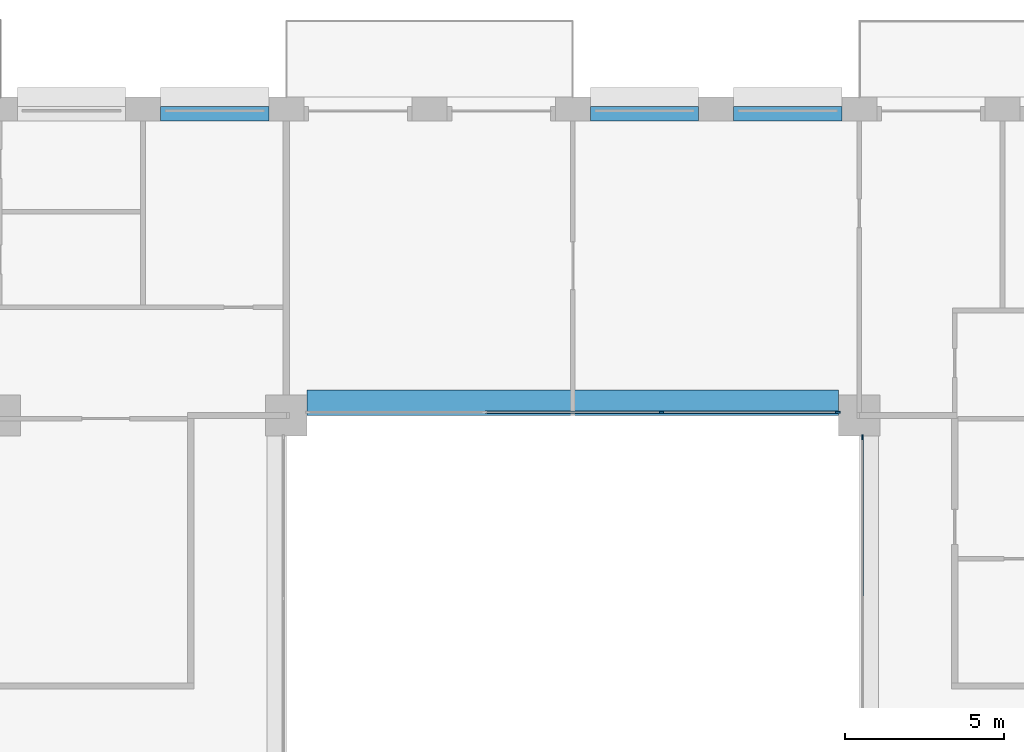
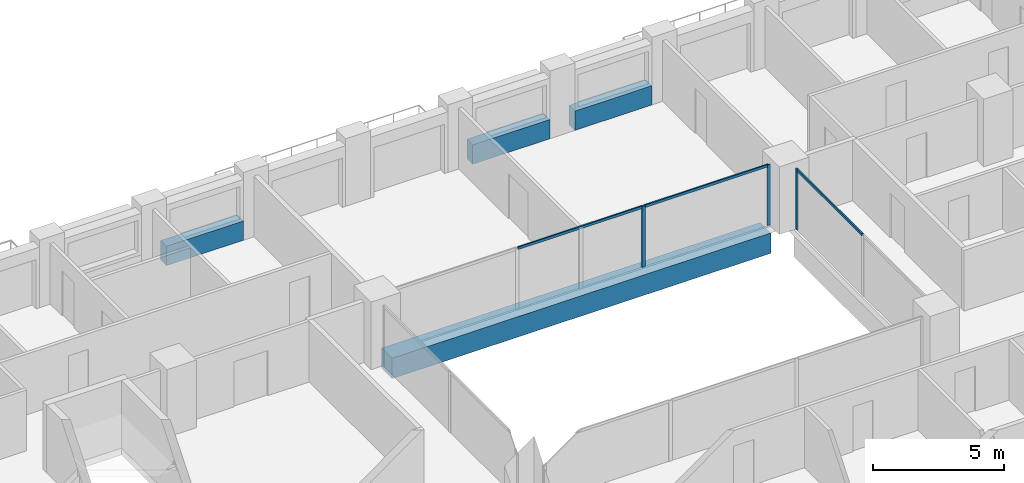
# One storey, part 6 of 16: 6 members, 4 beams, 2 elements without a shape of their own.
"""IFC4 building model written with IfcOpenShell, lengths in metres."""

from ifc_helpers import new_model, si_unit, direction, frame, origin, origin_2d, place, context, subcontext, project, spatial, rectangle, extrude, material, layer, layer_set, material_profile, profile_set, type_object, element, aggregate, save


model = new_model("IFC4")

# Units and contexts
model_context = context("Model", 3, precision=1e-05, world=origin(), true_north=direction((0.0, 1.0)))
body_context = subcontext(model_context, "Body", "Model", "MODEL_VIEW")
ifc_project = project(units=[si_unit("LENGTHUNIT", "METRE"), si_unit("AREAUNIT", "SQUARE_METRE"), si_unit("VOLUMEUNIT", "CUBIC_METRE"), si_unit("PLANEANGLEUNIT", "RADIAN"), si_unit("MASSUNIT", "GRAM", prefix="KILO")], contexts=[model_context])

# Site, building, storey
site_placement = place(None, origin())
site = spatial("IfcSite", under=ifc_project, at=site_placement, CompositionType="ELEMENT")
building_placement = place(site_placement, origin())
building = spatial("IfcBuilding", under=site, at=building_placement, Name="Brigalow Station Residences", CompositionType="ELEMENT")
storey_placement = place(building_placement, frame((0.0, 0.0, 89.85009765625)))
storey = spatial("IfcBuildingStorey", under=building, at=storey_placement, Name="L25", CompositionType="ELEMENT", Elevation=89.85009765625)

# Beam
ifc_material_1 = material(Name="Concrete C65", Category="concrete")
ifc_material_profile_1 = material_profile(ifc_material_1, rectangle(XDim=0.800048828125, YDim=0.949951171875, at=origin_2d()), Name="RC800x950")
ifc_profile_set_1 = profile_set([ifc_material_profile_1], Name="Concrete C65")
beam_type_1 = type_object("IfcBeamType", Name="ATRIUM EDGE GIRDER OVER 13.5 M SPAN 800x950 C65", PredefinedType="BEAM", material=ifc_profile_set_1)
beam_placement = place(storey_placement, frame((27.64990234375, 35.89990234375, -0.795166015625), z_axis=(1.0, 0.0, 0.0), x_axis=(0.0, 1.0, 0.0)))
element("IfcBeam", 1, at=beam_placement, inside=storey, type_object=beam_type_1, Name="ATRIUM EDGE GIRDER D L25", PredefinedType="BEAM", context=body_context, shape_type="SweptSolid", body=[
    extrude(rectangle(XDim=0.800048828125, YDim=0.949951171875, at=origin_2d()), origin(), (0.0, 0.0, 1.0), 16.7001953125),
])

# Curtain wall, member
ifc_material_2 = material(Name="Aluminium", Category="aluminium")
ifc_layer = layer(ifc_material_2, 0.14990234375)
ifc_layer_set = layer_set([ifc_layer], Name="ATRIUM FIRE-RATED GLAZING CURTAIN WALL")
curtain_wall_type = type_object("IfcCurtainWallType", Name="ATRIUM FIRE-RATED GLAZING CURTAIN WALL", PredefinedType="NOTDEFINED", material=ifc_layer_set)
curtain_wall_1_placement = place(storey_placement, origin())
curtain_wall_1 = element("IfcCurtainWall", 2, at=curtain_wall_1_placement, inside=storey, type_object=curtain_wall_type, Name="L25/cw/atrium-E", PredefinedType="NOTDEFINED")
ifc_material_3 = material(Name="Aluminium", Category="aluminium")
ifc_material_profile_2 = material_profile(ifc_material_3, rectangle(XDim=0.06005859375, YDim=0.14990234375, at=origin_2d()), Name="ATRIUM FIRE-RATED GLAZING MULLION 60x150")
ifc_profile_set_2 = profile_set([ifc_material_profile_2], Name="Aluminium")
member_type_1 = type_object("IfcMemberType", Name="ATRIUM FIRE-RATED GLAZING MULLION 60x150", PredefinedType="MULLION", material=ifc_profile_set_2)
member_1_placement = place(storey_placement, frame((45.10009765625, 34.820068359375, 0.0), z_axis=(0.0, 0.0, 1.0), x_axis=(-1.0, 0.0, 0.0)))
member_1 = element("IfcMember", 3, at=member_1_placement, type_object=member_type_1, Name="L25/cw/atrium-E/M02", PredefinedType="MULLION", context=body_context, shape_type="SweptSolid", body=[
    extrude(rectangle(XDim=0.06005859375, YDim=0.14990234375, at=origin_2d()), origin(), (0.0, 0.0, 1.0), 2.829833984375),
])

# Curtain wall, members
curtain_wall_2_placement = place(storey_placement, origin())
curtain_wall_2 = element("IfcCurtainWall", 4, at=curtain_wall_2_placement, inside=storey, type_object=curtain_wall_type, Name="L25/cw/atrium-N", PredefinedType="NOTDEFINED")
member_2_placement = place(storey_placement, frame((44.320068359375, 35.60009765625, 0.0), z_axis=(0.0, 0.0, 1.0), x_axis=(0.0, -1.0, 0.0)))
member_2 = element("IfcMember", 5, at=member_2_placement, type_object=member_type_1, Name="L25/cw/atrium-N/M00", PredefinedType="MULLION", context=body_context, shape_type="SweptSolid", body=[
    extrude(rectangle(XDim=0.06005859375, YDim=0.14990234375, at=origin_2d()), origin(), (0.0, 0.0, 1.0), 2.829833984375),
])
member_3_placement = place(storey_placement, frame((38.783203125, 35.60009765625, 0.0), z_axis=(0.0, 0.0, 1.0), x_axis=(0.0, -1.0, 0.0)))
member_3 = element("IfcMember", 6, at=member_3_placement, type_object=member_type_1, Name="L25/cw/atrium-N/M01", PredefinedType="MULLION", context=body_context, shape_type="SweptSolid", body=[
    extrude(rectangle(XDim=0.06005859375, YDim=0.14990234375, at=origin_2d()), origin(), (0.0, 0.0, 1.0), 2.829833984375),
])

# Member
ifc_material_4 = material(Name="Aluminium", Category="aluminium")
ifc_material_profile_3 = material_profile(ifc_material_4, rectangle(XDim=0.06005859375, YDim=0.1201171875, at=origin_2d()), Name="ATRIUM FIRE-RATED GLAZING TRANSOM 60x120")
ifc_profile_set_3 = profile_set([ifc_material_profile_3], Name="Aluminium")
member_type_2 = type_object("IfcMemberType", Name="ATRIUM FIRE-RATED GLAZING TRANSOM 60x120", PredefinedType="USERDEFINED", material=ifc_profile_set_3)
member_4_placement = place(storey_placement, frame((45.10009765625, 29.780029296875, 2.7998046875), z_axis=(0.0, 1.0, 0.0), x_axis=(-1.0, 0.0, 0.0)))
member_4 = element("IfcMember", 7, at=member_4_placement, type_object=member_type_2, Name="L25/cw/atrium-E/T01-00", ObjectType="TRANSOM", PredefinedType="USERDEFINED", context=body_context, shape_type="SweptSolid", body=[
    extrude(rectangle(XDim=0.06005859375, YDim=0.1201171875, at=origin_2d()), origin(), (0.0, 0.0, 1.0), 5.010009765625),
])

aggregate(curtain_wall_1, [member_1, member_4])

member_5_placement = place(storey_placement, frame((44.2900390625, 35.60009765625, 2.7998046875), z_axis=(-1.0, 0.0, 0.0), x_axis=(0.0, -1.0, 0.0)))
member_5 = element("IfcMember", 8, at=member_5_placement, type_object=member_type_2, Name="L25/cw/atrium-N/T00-00", ObjectType="TRANSOM", PredefinedType="USERDEFINED", context=body_context, shape_type="SweptSolid", body=[
    extrude(rectangle(XDim=0.06005859375, YDim=0.1201171875, at=origin_2d()), origin(), (0.0, 0.0, 1.0), 5.476806640625),
])

member_6_placement = place(storey_placement, frame((38.75341796875, 35.60009765625, 2.7998046875), z_axis=(-1.0, 0.0, 0.0), x_axis=(0.0, -1.0, 0.0)))
member_6 = element("IfcMember", 9, at=member_6_placement, type_object=member_type_2, Name="L25/cw/atrium-N/T01-00", ObjectType="TRANSOM", PredefinedType="USERDEFINED", context=body_context, shape_type="SweptSolid", body=[
    extrude(rectangle(XDim=0.06005859375, YDim=0.1201171875, at=origin_2d()), origin(), (0.0, 0.0, 1.0), 5.5068359375),
])

aggregate(curtain_wall_2, [member_2, member_3, member_5, member_6])

# Beams
ifc_material_5 = material(Name="Concrete C65", Category="concrete")
ifc_material_profile_4 = material_profile(ifc_material_5, rectangle(XDim=0.449951171875, YDim=0.89990234375, at=origin_2d()), Name="RC450x900")
ifc_profile_set_4 = profile_set([ifc_material_profile_4], Name="Concrete C65")
beam_type_2 = type_object("IfcBeamType", Name="SPANDREL BEAM 450x900 C65", PredefinedType="SPANDREL", material=ifc_profile_set_4)
for number, where, z_axis, x_axis, name in (
    (10, (44.449951171875, 44.97509765625, 0.449951171875), (-1.0, 0.0, 0.0), (0.0, -1.0, 0.0), "L25/spandrel/W-L25-29"),
    (11, (39.949951171875, 44.97509765625, 0.449951171875), (-1.0, 0.0, 0.0), (0.0, -1.0, 0.0), "L25/spandrel/W-L25-30"),
    (12, (26.449951171875, 44.97509765625, 0.449951171875), (-1.0, 0.0, 0.0), (0.0, -1.0, 0.0), "L25/spandrel/W-L25-33"),
):
    element("IfcBeam", number, at=place(storey_placement, frame(where, z_axis=z_axis, x_axis=x_axis)), inside=storey, type_object=beam_type_2, Name=name, PredefinedType="SPANDREL", context=body_context, shape_type="SweptSolid", body=[
        extrude(rectangle(XDim=0.449951171875, YDim=0.89990234375, at=origin_2d()), origin(), (0.0, 0.0, 1.0), 3.39990234375),
    ])

save(model, "model.ifc")
